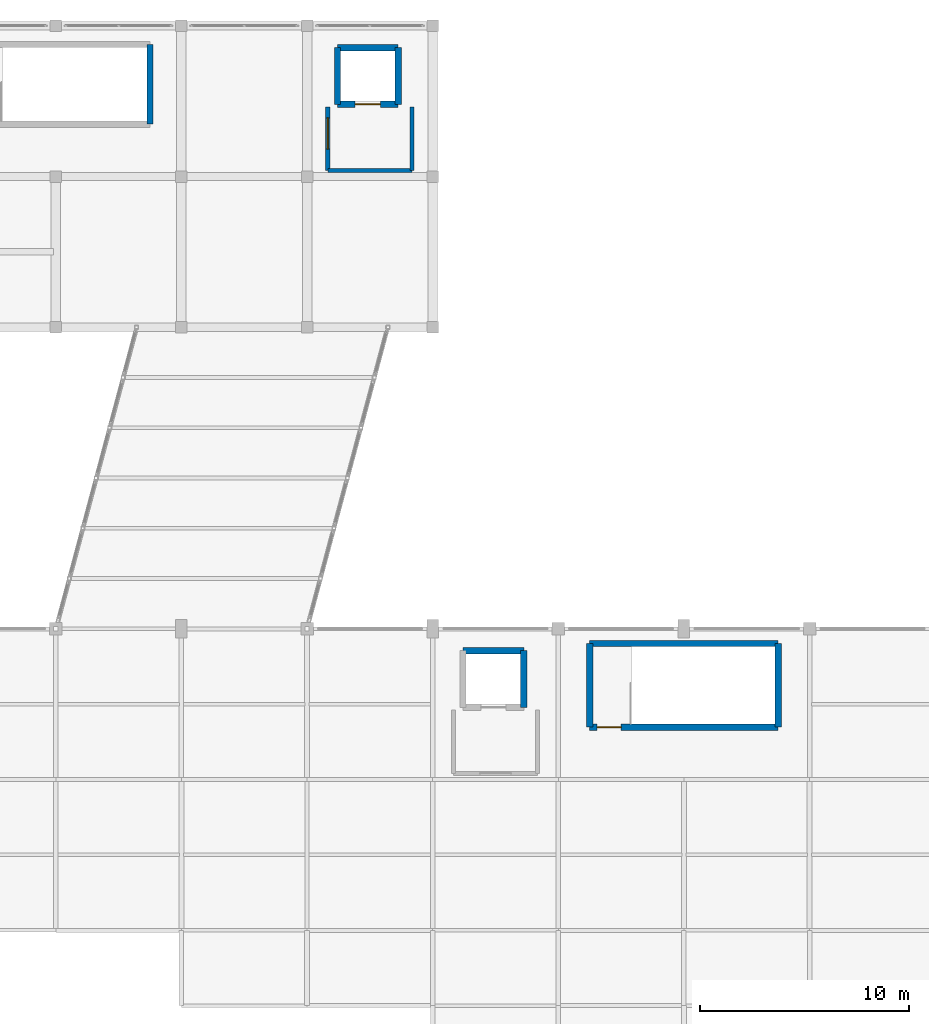
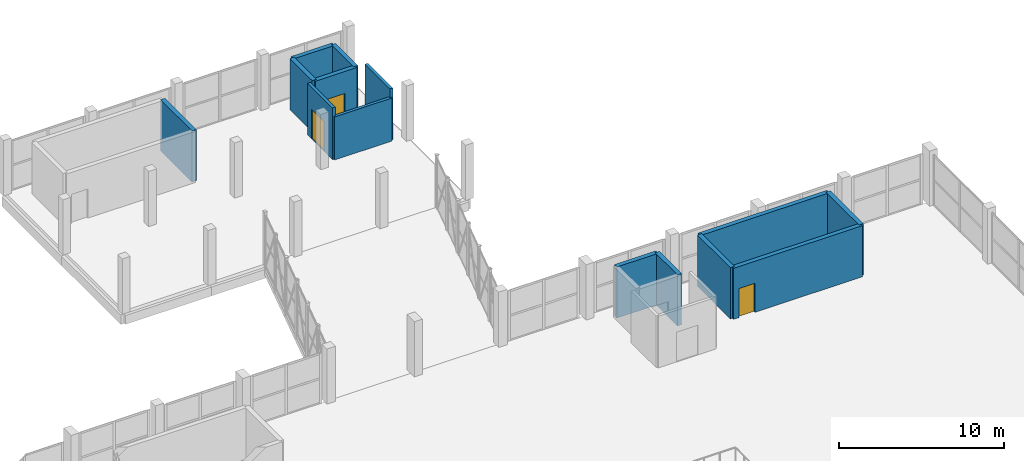
# One storey, part 112 of 127: 14 walls, 3 doors, 3 openings.
"""IFC4 building model written with IfcOpenShell, lengths in metres."""

from ifc_helpers import new_model, si_unit, direction, frame, frame_2d, origin, place, context, subcontext, project, spatial, rectangle, extrude, material, layer, layer_set, type_object, element, fill, save


model = new_model("IFC4")

# Units and contexts
model_context = context("Model", 3, precision=1e-05, world=origin(), true_north=direction((0.0, 1.0)))
body_context = subcontext(model_context, "Body", "Model", "MODEL_VIEW")
ifc_project = project(units=[si_unit("LENGTHUNIT", "METRE"), si_unit("AREAUNIT", "SQUARE_METRE"), si_unit("VOLUMEUNIT", "CUBIC_METRE"), si_unit("PLANEANGLEUNIT", "RADIAN"), si_unit("MASSUNIT", "GRAM", prefix="KILO")], contexts=[model_context])

# Site, building, storey
site_placement = place(None, origin())
site = spatial("IfcSite", under=ifc_project, at=site_placement, CompositionType="ELEMENT")
building_placement = place(site_placement, origin())
building = spatial("IfcBuilding", under=site, at=building_placement, Name="Dunvalen Ferry Terminal", CompositionType="ELEMENT")
storey_placement = place(building_placement, frame((0.0, 0.0, 5.760009765625)))
storey = spatial("IfcBuildingStorey", under=building, at=storey_placement, Name="L01", CompositionType="ELEMENT", Elevation=5.760009765625)

# Wall, opening, door
ifc_material_1 = material(Name="Autoclaved aerated concrete blockwork", Category="masonry")
ifc_layer_1 = layer(ifc_material_1, 0.199951171875, Name="Autoclaved aerated concrete blockwork")
ifc_layer_set_1 = layer_set([ifc_layer_1], Name="Autoclaved aerated concrete blockwork")
wall_type_1 = type_object("IfcWallType", Name="INT-WL-CMP200", PredefinedType="PARTITIONING", material=ifc_layer_set_1)
wall_1_placement = place(storey_placement, frame((138.989990234375, 111.31005859375, 0.0), z_axis=(0.0, 0.0, 1.0), x_axis=(0.0, -1.0, 0.0)))
wall_1 = element("IfcWall", 1, at=wall_1_placement, inside=storey, type_object=wall_type_1, Name="L01 L01 Lift Lobby LP-04 Partition 2", PredefinedType="PARTITIONING", context=body_context, shape_type="SweptSolid", body=[
    extrude(rectangle(XDim=3.02001953125, YDim=0.199951171875, at=frame_2d((1.510009765625, 0.0))), origin(), (0.0, 0.0, 1.0), 3.820068359375),
])
opening_1_placement = place(wall_1_placement, frame((0.508056640625, 0.0, 0.0)))
opening_1 = element("IfcOpeningElement", 2, at=opening_1_placement, cuts=wall_1, Name="Opening ID-04", PredefinedType="OPENING", context=body_context, shape_type="SweptSolid", body=[
    extrude(rectangle(XDim=1.5, YDim=2.199951171875, at=frame_2d((0.75, 1.10009765625))), frame((0.0, 0.10986328125, 0.0), z_axis=(0.0, -1.0, 0.0), x_axis=(1.0, 0.0, 0.0)), (0.0, 0.0, 1.0), 0.219970703125),
])
ifc_material_2 = material(Name="Anodised aluminium glazed fire door", Category="aluminium")
door_type_1 = type_object("IfcDoorType", Name="INT-DR-LOB-1500", OperationType="DOUBLE_SWING_LEFT", PredefinedType="DOOR", material=ifc_material_2)
door_1_placement = place(opening_1_placement, origin())
door_1 = element("IfcDoor", 3, at=door_1_placement, inside=storey, type_object=door_type_1, Name="L01 Lift Lobby LP-04 Door", OperationType="DOUBLE_SWING_LEFT", OverallHeight=2.199951171875, OverallWidth=1.5, PredefinedType="DOOR", context=body_context, shape_type="SweptSolid", body=[
    extrude(rectangle(XDim=1.5, YDim=2.199951171875, at=frame_2d((0.75, 1.10009765625))), frame((0.0, 0.02490234375, 0.0), z_axis=(0.0, -1.0, 0.0), x_axis=(1.0, 0.0, 0.0)), (0.0, 0.0, 1.0), 0.050048828125),
])
fill(opening_1, door_1)

# Walls
wall_2_placement = place(storey_placement, frame((138.989990234375, 108.2900390625, 0.0), z_axis=(0.0, 0.0, 1.0), x_axis=(1.0, 0.0, 0.0)))
element("IfcWall", 4, at=wall_2_placement, inside=storey, type_object=wall_type_1, Name="L01 L01 Lift Lobby LP-04 Partition 3", PredefinedType="PARTITIONING", context=body_context, shape_type="SweptSolid", body=[
    extrude(rectangle(XDim=4.02001953125, YDim=0.199951171875, at=frame_2d((2.010009765625, 0.0))), origin(), (0.0, 0.0, 1.0), 3.179931640625),
])
wall_3_placement = place(storey_placement, frame((143.010009765625, 108.2900390625, 0.0), z_axis=(0.0, 0.0, 1.0), x_axis=(0.0, 1.0, 0.0)))
element("IfcWall", 5, at=wall_3_placement, inside=storey, type_object=wall_type_1, Name="L01 L01 Lift Lobby LP-04 Partition 4", PredefinedType="PARTITIONING", context=body_context, shape_type="SweptSolid", body=[
    extrude(rectangle(XDim=3.02001953125, YDim=0.199951171875, at=frame_2d((1.510009765625, 0.0))), origin(), (0.0, 0.0, 1.0), 3.820068359375),
])
ifc_material_3 = material(Name="Concrete C40/50", Category="concrete")
ifc_layer_2 = layer(ifc_material_3, 0.300048828125, Name="Concrete C40/50")
ifc_layer_set_2 = layer_set([ifc_layer_2], Name="Concrete C40/50")
wall_type_2 = type_object("IfcWallType", Name="STR-WL-SHR300", PredefinedType="SHEAR", material=ifc_layer_set_2)
for number, where, z_axis, x_axis, name in (
    (6, (151.5, 81.699951171875, 0.0), (0.0, 0.0, 1.0), (0.0, 1.0, 0.0), "L01 ST9 Core West Shear Wall"),
    (7, (160.5, 81.699951171875, 0.0), (0.0, 0.0, 1.0), (0.0, 1.0, 0.0), "L01 ST9 Core East Shear Wall"),
):
    element("IfcWall", number, at=place(storey_placement, frame(where, z_axis=z_axis, x_axis=x_axis)), inside=storey, type_object=wall_type_2, Name=name, PredefinedType="SHEAR", context=body_context, shape_type="SweptSolid", body=[
        extrude(rectangle(XDim=4.0, YDim=0.300048828125, at=frame_2d((2.0, 0.0))), origin(), (0.0, 0.0, 1.0), 3.780029296875),
    ])
wall_4_placement = place(storey_placement, frame((130.5, 110.5, 0.0), z_axis=(0.0, 0.0, 1.0), x_axis=(0.0, 1.0, 0.0)))
element("IfcWall", 8, at=wall_4_placement, inside=storey, type_object=wall_type_2, Name="L01 ST12 Core East Shear Wall", PredefinedType="SHEAR", context=body_context, shape_type="SweptSolid", body=[
    extrude(rectangle(XDim=3.800048828125, YDim=0.300048828125, at=frame_2d((1.89990234375, 0.0))), origin(), (0.0, 0.0, 1.0), 3.780029296875),
])
wall_5_placement = place(storey_placement, frame((151.5, 85.699951171875, 0.0), z_axis=(0.0, 0.0, 1.0), x_axis=(1.0, 0.0, 0.0)))
element("IfcWall", 9, at=wall_5_placement, inside=storey, type_object=wall_type_2, Name="L01 ST9 Core North Shear Wall", PredefinedType="SHEAR", context=body_context, shape_type="SweptSolid", body=[
    extrude(rectangle(XDim=9.0, YDim=0.300048828125, at=frame_2d((4.5, 0.0))), origin(), (0.0, 0.0, 1.0), 3.780029296875),
])

# Wall, opening, door
wall_6_placement = place(storey_placement, frame((151.5, 81.699951171875, 0.0), z_axis=(0.0, 0.0, 1.0), x_axis=(1.0, 0.0, 0.0)))
wall_6 = element("IfcWall", 10, at=wall_6_placement, inside=storey, type_object=wall_type_2, Name="L01 ST9 Core South Shear Wall", PredefinedType="SHEAR", context=body_context, shape_type="SweptSolid", body=[
    extrude(rectangle(XDim=9.0, YDim=0.300048828125, at=frame_2d((4.5, 0.0))), origin(), (0.0, 0.0, 1.0), 3.780029296875),
])
opening_2_placement = place(wall_6_placement, frame((0.35009765625, 0.0, 0.0)))
opening_2 = element("IfcOpeningElement", 11, at=opening_2_placement, cuts=wall_6, Name="Opening ID-02", PredefinedType="OPENING", context=body_context, shape_type="SweptSolid", body=[
    extrude(rectangle(XDim=1.14990234375, YDim=2.14990234375, at=frame_2d((0.574951171875, 1.074951171875))), frame((0.0, 0.16015625, 0.0), z_axis=(0.0, -1.0, 0.0), x_axis=(1.0, 0.0, 0.0)), (0.0, 0.0, 1.0), 0.320068359375),
])
ifc_material_4 = material(Name="Powder-coated steel fire door", Category="steel")
door_type_2 = type_object("IfcDoorType", Name="INT-DR-STR-1150", OperationType="NOTDEFINED", PredefinedType="DOOR", material=ifc_material_4)
door_2_placement = place(opening_2_placement, frame((1.14990234375, 0.0, 0.0), z_axis=(0.0, 0.0, 1.0), x_axis=(-1.0, 0.0, 0.0)))
door_2 = element("IfcDoor", 12, at=door_2_placement, inside=storey, type_object=door_type_2, Name="L01 ST9 Escape Stair Fire Door", OperationType="SINGLE_SWING_LEFT", OverallHeight=2.14990234375, OverallWidth=1.14990234375, PredefinedType="DOOR", context=body_context, shape_type="SweptSolid", body=[
    extrude(rectangle(XDim=1.14990234375, YDim=2.14990234375, at=frame_2d((0.574951171875, 1.074951171875))), frame((0.0, 0.02490234375, 0.0), z_axis=(0.0, -1.0, 0.0), x_axis=(1.0, 0.0, 0.0)), (0.0, 0.0, 1.0), 0.050048828125),
])
fill(opening_2, door_2)

# Walls
wall_7_placement = place(storey_placement, frame((145.449951171875, 85.35009765625, 0.0), z_axis=(0.0, 0.0, 1.0), x_axis=(1.0, 0.0, 0.0)))
element("IfcWall", 13, at=wall_7_placement, inside=storey, type_object=wall_type_2, Name="L01 LP-02 Lift Shaft N Wall", PredefinedType="SHEAR", context=body_context, shape_type="SweptSolid", body=[
    extrude(rectangle(XDim=2.900146484375, YDim=0.300048828125, at=frame_2d((1.4501953125, 0.0))), origin(), (0.0, 0.0, 1.0), 3.780029296875),
])
wall_8_placement = place(storey_placement, frame((148.35009765625, 82.64990234375, 0.0), z_axis=(0.0, 0.0, 1.0), x_axis=(0.0, 1.0, 0.0)))
element("IfcWall", 14, at=wall_8_placement, inside=storey, type_object=wall_type_2, Name="L01 LP-02 Lift Shaft E Wall", PredefinedType="SHEAR", context=body_context, shape_type="SweptSolid", body=[
    extrude(rectangle(XDim=2.7001953125, YDim=0.300048828125, at=frame_2d((1.35009765625, 0.0))), origin(), (0.0, 0.0, 1.0), 3.780029296875),
])

# Wall, opening, door
wall_9_placement = place(storey_placement, frame((139.449951171875, 111.449951171875, 0.0), z_axis=(0.0, 0.0, 1.0), x_axis=(1.0, 0.0, 0.0)))
wall_9 = element("IfcWall", 15, at=wall_9_placement, inside=storey, type_object=wall_type_2, Name="L01 LP-04 Lift Shaft S Wall", PredefinedType="SHEAR", context=body_context, shape_type="SweptSolid", body=[
    extrude(rectangle(XDim=2.900146484375, YDim=0.300048828125, at=frame_2d((1.4501953125, 0.0))), origin(), (0.0, 0.0, 1.0), 3.780029296875),
])
opening_3_placement = place(wall_9_placement, frame((0.85009765625, 0.0, 0.0)))
opening_3 = element("IfcOpeningElement", 16, at=opening_3_placement, cuts=wall_9, Name="Opening LD-02", PredefinedType="OPENING", context=body_context, shape_type="SweptSolid", body=[
    extrude(rectangle(XDim=1.199951171875, YDim=2.14990234375, at=frame_2d((0.60009765625, 1.074951171875))), frame((0.0, 0.16015625, 0.0), z_axis=(0.0, -1.0, 0.0), x_axis=(1.0, 0.0, 0.0)), (0.0, 0.0, 1.0), 0.320068359375),
])
ifc_material_5 = material(Name="Brushed 316 stainless steel", Category="steel")
door_type_3 = type_object("IfcDoorType", Name="INT-DR-LFT-1200", OperationType="SLIDING_TO_LEFT", PredefinedType="DOOR", material=ifc_material_5)
door_3_placement = place(opening_3_placement, origin())
door_3 = element("IfcDoor", 17, at=door_3_placement, inside=storey, type_object=door_type_3, Name="L01 LP-04 Lift Sliding Landing Door", OperationType="SLIDING_TO_LEFT", OverallHeight=2.14990234375, OverallWidth=1.199951171875, PredefinedType="DOOR", context=body_context, shape_type="SweptSolid", body=[
    extrude(rectangle(XDim=1.199951171875, YDim=2.14990234375, at=frame_2d((0.60009765625, 1.074951171875))), frame((0.0, 0.02490234375, 0.0), z_axis=(0.0, -1.0, 0.0), x_axis=(1.0, 0.0, 0.0)), (0.0, 0.0, 1.0), 0.050048828125),
])
fill(opening_3, door_3)

# Walls
wall_10_placement = place(storey_placement, frame((139.449951171875, 114.14990234375, 0.0), z_axis=(0.0, 0.0, 1.0), x_axis=(1.0, 0.0, 0.0)))
element("IfcWall", 18, at=wall_10_placement, inside=storey, type_object=wall_type_2, Name="L01 LP-04 Lift Shaft N Wall", PredefinedType="SHEAR", context=body_context, shape_type="SweptSolid", body=[
    extrude(rectangle(XDim=2.900146484375, YDim=0.300048828125, at=frame_2d((1.4501953125, 0.0))), origin(), (0.0, 0.0, 1.0), 3.780029296875),
])
for number, where, z_axis, x_axis, name in (
    (19, (139.449951171875, 111.449951171875, 0.0), (0.0, 0.0, 1.0), (0.0, 1.0, 0.0), "L01 LP-04 Lift Shaft W Wall"),
    (20, (142.35009765625, 111.449951171875, 0.0), (0.0, 0.0, 1.0), (0.0, 1.0, 0.0), "L01 LP-04 Lift Shaft E Wall"),
):
    element("IfcWall", number, at=place(storey_placement, frame(where, z_axis=z_axis, x_axis=x_axis)), inside=storey, type_object=wall_type_2, Name=name, PredefinedType="SHEAR", context=body_context, shape_type="SweptSolid", body=[
        extrude(rectangle(XDim=2.699951171875, YDim=0.300048828125, at=frame_2d((1.35009765625, 0.0))), origin(), (0.0, 0.0, 1.0), 3.780029296875),
    ])

save(model, "model.ifc")
